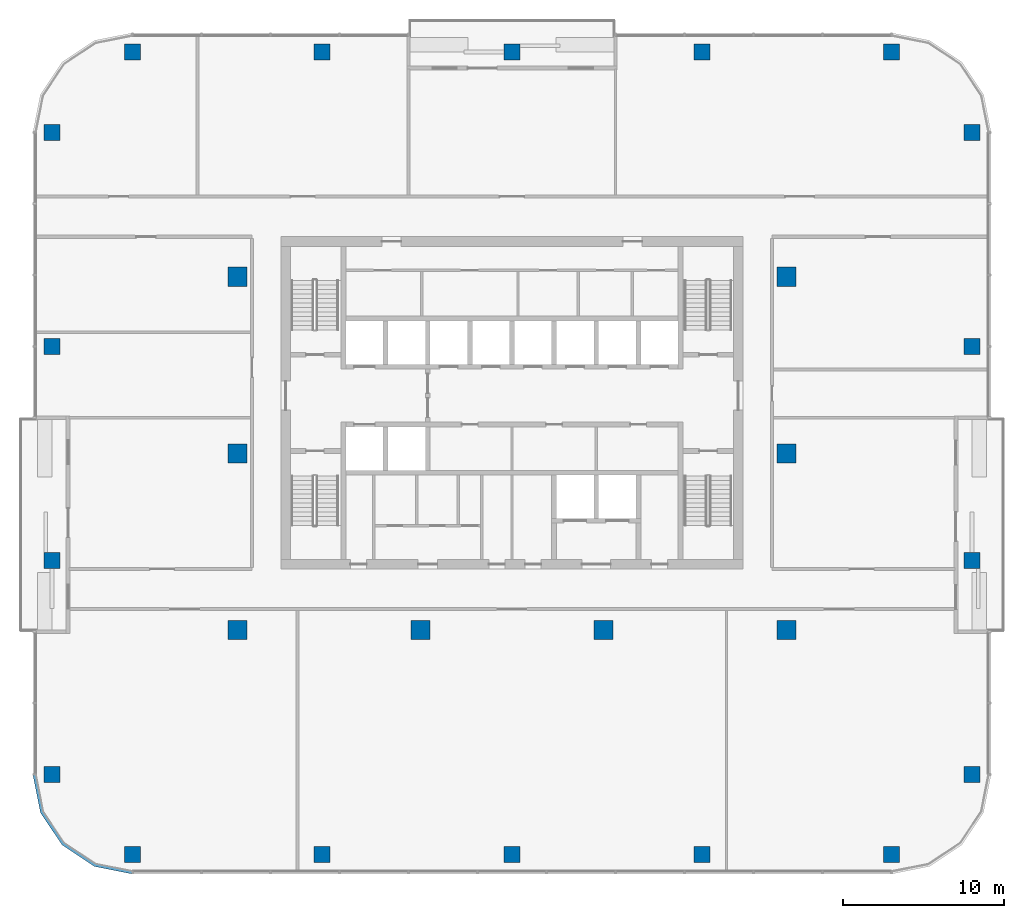
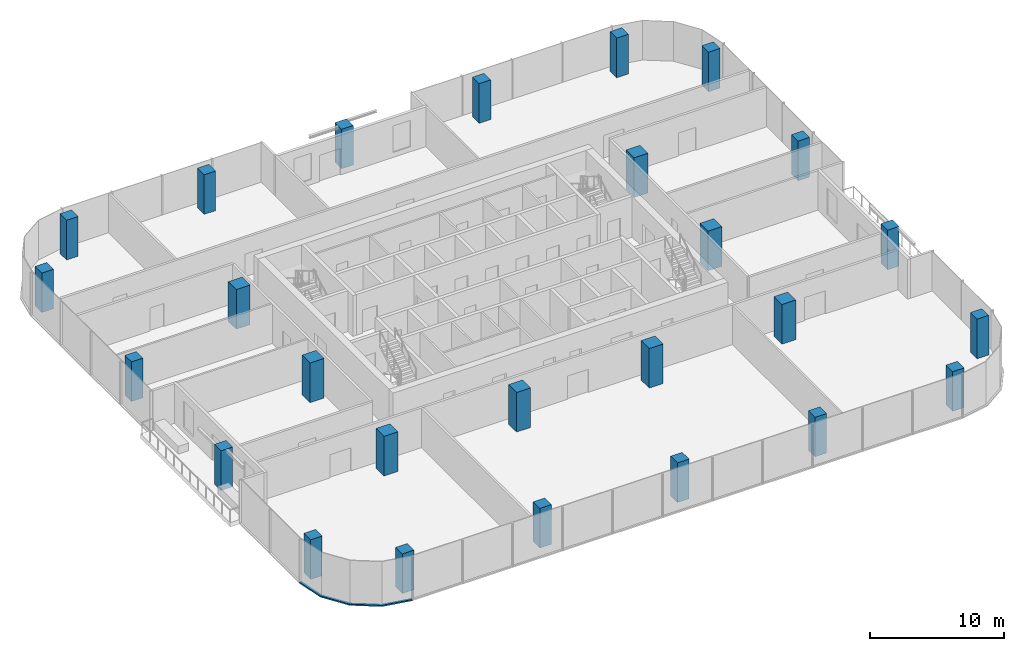
# One storey, part 1 of 13: 26 columns, 1 member, 1 element without a shape of its own.
"""IFC4 building model written with IfcOpenShell, lengths in metres."""

from ifc_helpers import new_model, si_unit, direction, frame, origin, origin_2d, place, context, subcontext, project, spatial, polyline, rectangle, outline, extrude, material, material_profile, profile_set, type_object, element, aggregate, save


model = new_model("IFC4")

# Units and contexts
model_context = context("Model", 3, precision=1e-05, world=origin(), true_north=direction((0.0, 1.0)))
body_context = subcontext(model_context, "Body", "Model", "MODEL_VIEW")
ifc_project = project(units=[si_unit("LENGTHUNIT", "METRE"), si_unit("AREAUNIT", "SQUARE_METRE"), si_unit("VOLUMEUNIT", "CUBIC_METRE"), si_unit("PLANEANGLEUNIT", "RADIAN"), si_unit("MASSUNIT", "GRAM", prefix="KILO")], contexts=[model_context])

# Site, building, storey
site_placement = place(None, origin())
site = spatial("IfcSite", under=ifc_project, at=site_placement, CompositionType="ELEMENT")
building_placement = place(site_placement, origin())
building = spatial("IfcBuilding", under=site, at=building_placement, Name="Mopane Tessera Tower", CompositionType="ELEMENT")
storey_placement = place(building_placement, frame((0.0, 0.0, 275.39990234375)))
storey = spatial("IfcBuildingStorey", under=building, at=storey_placement, Name="L59", CompositionType="ELEMENT", Elevation=275.39990234375)

# Columns
ifc_material_1 = material(Name="Concrete C40/50", Category="concrete")
ifc_material_profile_1 = material_profile(ifc_material_1, rectangle(XDim=1.199951171875, YDim=1.199951171875, at=origin_2d()))
ifc_profile_set_1 = profile_set([ifc_material_profile_1], Name="Concrete C40/50")
column_type_1 = type_object("IfcColumnType", Name="Interior column 1200 x 1200 C40/50", PredefinedType="COLUMN", material=ifc_profile_set_1)
for number, where, z_axis, x_axis, name in (
    (1, (-17.10009765625, -11.0, 0.0), (0.0, 0.0, 1.0), (1.0, 0.0, 0.0), "Interior column I1A L59"),
    (2, (-17.10009765625, 0.0, 0.0), (0.0, 0.0, 1.0), (1.0, 0.0, 0.0), "Interior column I1B L59"),
    (3, (-17.10009765625, 11.0, 0.0), (0.0, 0.0, 1.0), (1.0, 0.0, 0.0), "Interior column I1C L59"),
    (4, (-5.699951171875, -11.0, 0.0), (0.0, 0.0, 1.0), (1.0, 0.0, 0.0), "Interior column I2A L59"),
    (5, (5.699951171875, -11.0, 0.0), (0.0, 0.0, 1.0), (1.0, 0.0, 0.0), "Interior column I3A L59"),
    (6, (17.10009765625, -11.0, 0.0), (0.0, 0.0, 1.0), (1.0, 0.0, 0.0), "Interior column I4A L59"),
    (7, (17.10009765625, 0.0, 0.0), (0.0, 0.0, 1.0), (1.0, 0.0, 0.0), "Interior column I4B L59"),
    (8, (17.10009765625, 11.0, 0.0), (0.0, 0.0, 1.0), (1.0, 0.0, 0.0), "Interior column I4C L59"),
):
    element("IfcColumn", number, at=place(storey_placement, frame(where, z_axis=z_axis, x_axis=x_axis)), inside=storey, type_object=column_type_1, Name=name, PredefinedType="COLUMN", context=body_context, shape_type="SweptSolid", body=[
        extrude(rectangle(XDim=1.199951171875, YDim=1.199951171875, at=origin_2d()), origin(), (0.0, 0.0, 1.0), 3.60009765625),
    ])
ifc_material_2 = material(Name="Concrete C40/50", Category="concrete")
ifc_material_profile_2 = material_profile(ifc_material_2, rectangle(XDim=1.0, YDim=1.0, at=origin_2d()))
ifc_profile_set_2 = profile_set([ifc_material_profile_2], Name="Concrete C40/50")
column_type_2 = type_object("IfcColumnType", Name="Ring column 1000 x 1000 C40/50", PredefinedType="COLUMN", material=ifc_profile_set_2)
for number, where, z_axis, x_axis, name in (
    (9, (-23.64990234375, -25.0, 0.0), (0.0, 0.0, 1.0), (1.0, 0.0, 0.0), "Ring column S0 L59"),
    (10, (-11.824951171875, -25.0, 0.0), (0.0, 0.0, 1.0), (1.0, 0.0, 0.0), "Ring column S1 L59"),
    (11, (0.0, -25.0, 0.0), (0.0, 0.0, 1.0), (1.0, 0.0, 0.0), "Ring column S2 L59"),
    (12, (11.824951171875, -25.0, 0.0), (0.0, 0.0, 1.0), (1.0, 0.0, 0.0), "Ring column S3 L59"),
    (13, (23.64990234375, -25.0, 0.0), (0.0, 0.0, 1.0), (1.0, 0.0, 0.0), "Ring column S4 L59"),
    (14, (28.64990234375, -20.0, 0.0), (0.0, 0.0, 1.0), (1.0, 0.0, 0.0), "Ring column E0 L59"),
    (15, (28.64990234375, -6.666748046875, 0.0), (0.0, 0.0, 1.0), (1.0, 0.0, 0.0), "Ring column E1 L59"),
    (16, (28.64990234375, 6.666748046875, 0.0), (0.0, 0.0, 1.0), (1.0, 0.0, 0.0), "Ring column E2 L59"),
    (17, (28.64990234375, 20.0, 0.0), (0.0, 0.0, 1.0), (1.0, 0.0, 0.0), "Ring column E3 L59"),
    (18, (23.64990234375, 25.0, 0.0), (0.0, 0.0, 1.0), (1.0, 0.0, 0.0), "Ring column N0 L59"),
    (19, (11.824951171875, 25.0, 0.0), (0.0, 0.0, 1.0), (1.0, 0.0, 0.0), "Ring column N1 L59"),
    (20, (0.0, 25.0, 0.0), (0.0, 0.0, 1.0), (1.0, 0.0, 0.0), "Ring column N2 L59"),
    (21, (-11.824951171875, 25.0, 0.0), (0.0, 0.0, 1.0), (1.0, 0.0, 0.0), "Ring column N3 L59"),
    (22, (-23.64990234375, 25.0, 0.0), (0.0, 0.0, 1.0), (1.0, 0.0, 0.0), "Ring column N4 L59"),
    (23, (-28.64990234375, 20.0, 0.0), (0.0, 0.0, 1.0), (1.0, 0.0, 0.0), "Ring column W0 L59"),
    (24, (-28.64990234375, 6.666748046875, 0.0), (0.0, 0.0, 1.0), (1.0, 0.0, 0.0), "Ring column W1 L59"),
    (25, (-28.64990234375, -6.666748046875, 0.0), (0.0, 0.0, 1.0), (1.0, 0.0, 0.0), "Ring column W2 L59"),
    (26, (-28.64990234375, -20.0, 0.0), (0.0, 0.0, 1.0), (1.0, 0.0, 0.0), "Ring column W3 L59"),
):
    element("IfcColumn", number, at=place(storey_placement, frame(where, z_axis=z_axis, x_axis=x_axis)), inside=storey, type_object=column_type_2, Name=name, PredefinedType="COLUMN", context=body_context, shape_type="SweptSolid", body=[
        extrude(rectangle(XDim=1.0, YDim=1.0, at=origin_2d()), origin(), (0.0, 0.0, 1.0), 3.60009765625),
    ])

# Curtain wall, member
ifc_material_3 = material(Name="Aluminium frame", Category="aluminium")
curtain_wall_type = type_object("IfcCurtainWallType", Name="Unitised curtain wall", PredefinedType="NOTDEFINED", material=ifc_material_3)
curtain_wall_placement = place(storey_placement, origin())
curtain_wall = element("IfcCurtainWall", 27, at=curtain_wall_placement, inside=storey, type_object=curtain_wall_type, Name="e:cw:L59:CW", PredefinedType="NOTDEFINED")
ifc_material_4 = material(Name="Aluminium frame", Category="aluminium")
ifc_material_profile_3 = material_profile(ifc_material_4, rectangle(XDim=0.199951171875, YDim=0.1201171875, at=origin_2d()))
ifc_profile_set_3 = profile_set([ifc_material_profile_3], Name="Aluminium frame")
member_type = type_object("IfcMemberType", Name="Aluminium transom 200 x 120", PredefinedType="USERDEFINED", material=ifc_profile_set_3)
member_placement = place(storey_placement, frame((0.0, 0.0, -0.39990234375)))
member = element("IfcMember", 28, at=member_placement, type_object=member_type, Name="e:cw:L59:CW:tr", ObjectType="TRANSOM", PredefinedType="USERDEFINED", context=body_context, shape_type="SweptSolid", body=[
    extrude(outline(polyline([(-29.64990234375, -20.0), (-29.193359375, -22.296142578125), (-27.892578125, -24.24267578125), (-25.946044921875, -25.543212890625), (-23.64990234375, -26.0), (-23.64990234375, -26.199951171875), (-26.022705078125, -25.72802734375), (-28.0341796875, -24.384033203125), (-29.378173828125, -22.37255859375), (-29.85009765625, -20.0), (-29.64990234375, -20.0)])), origin(), (0.0, 0.0, 1.0), 0.1201171875),
])
aggregate(curtain_wall, [member])

save(model, "model.ifc")
